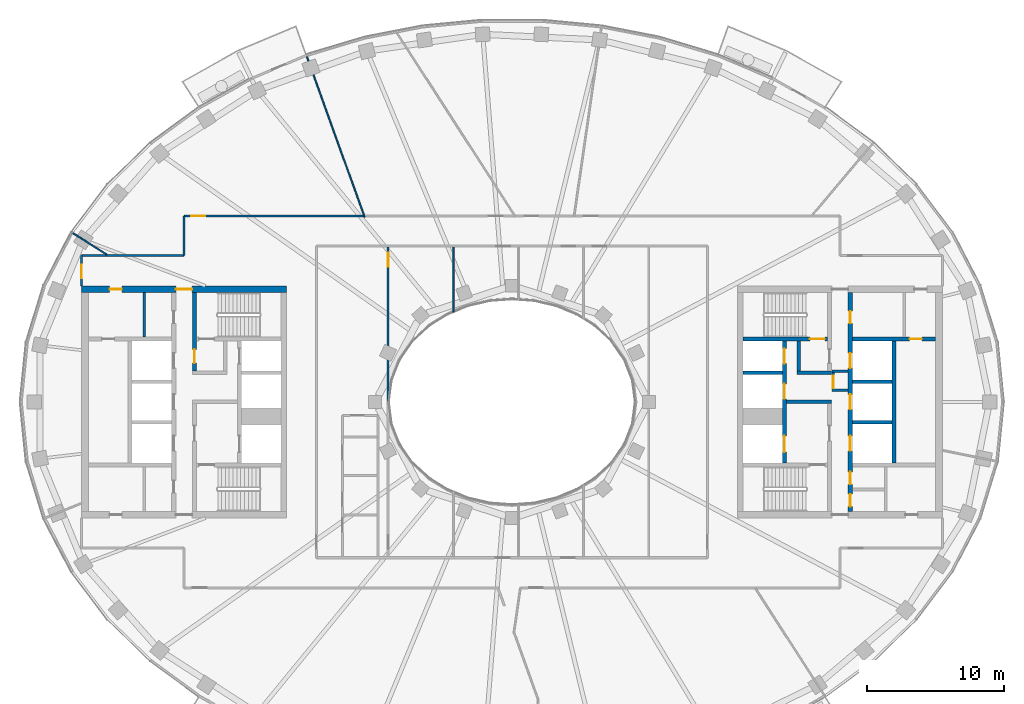
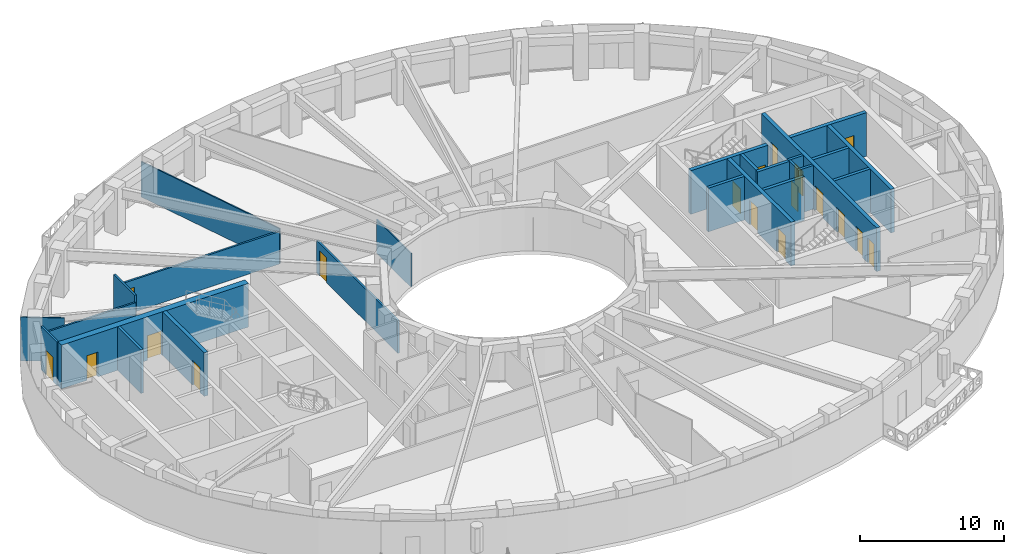
# One storey, part 5 of 15: 25 walls, 18 doors, 18 openings.
"""IFC4 building model written with IfcOpenShell, lengths in metres."""

from ifc_helpers import new_model, si_unit, direction, frame, frame_2d, origin, place, context, subcontext, project, spatial, rectangle, extrude, material, layer, layer_set, type_object, element, fill, save


model = new_model("IFC4")

# Units and contexts
model_context = context("Model", 3, precision=1e-05, world=origin(), true_north=direction((0.0, 1.0)))
body_context = subcontext(model_context, "Body", "Model", "MODEL_VIEW")
ifc_project = project(units=[si_unit("LENGTHUNIT", "METRE"), si_unit("AREAUNIT", "SQUARE_METRE"), si_unit("VOLUMEUNIT", "CUBIC_METRE"), si_unit("PLANEANGLEUNIT", "RADIAN"), si_unit("MASSUNIT", "GRAM", prefix="KILO")], contexts=[model_context])

# Site, building, storey
site_placement = place(None, origin())
site = spatial("IfcSite", under=ifc_project, at=site_placement, CompositionType="ELEMENT")
building_placement = place(site_placement, origin())
building = spatial("IfcBuilding", under=site, at=building_placement, Name="Noorbagh Ring Tower", CompositionType="ELEMENT")
storey_placement = place(building_placement, frame((0.0, 0.0, 277.5)))
storey = spatial("IfcBuildingStorey", under=building, at=storey_placement, Name="L59", CompositionType="ELEMENT", Elevation=277.5)

# Walls
ifc_material_1 = material(Name="Gypsum board on steel studs", Category="steel")
ifc_layer_1 = layer(ifc_material_1, 0.199951171875)
ifc_layer_set_1 = layer_set([ifc_layer_1], Name="Gypsum board on steel studs")
wall_type_1 = type_object("IfcWallType", Name="CORE-PARTITION-200", PredefinedType="PARTITIONING", material=ifc_layer_set_1)
wall_1_placement = place(storey_placement, frame((-26.89990234375, 4.75, 0.0), z_axis=(0.0, 0.0, 1.0), x_axis=(0.0, 1.0, 0.0)))
element("IfcWall", 1, at=wall_1_placement, inside=storey, type_object=wall_type_1, Name="Core partition W", PredefinedType="PARTITIONING", context=body_context, shape_type="SweptSolid", body=[
    extrude(rectangle(XDim=3.25, YDim=0.199951171875, at=frame_2d((1.625, 0.0))), origin(), (0.0, 0.0, 1.0), 3.699951171875),
])
for number, where, z_axis, x_axis, name in (
    (2, (23.39990234375, 0.85009765625, 0.0), (0.0, 0.0, 1.0), (1.0, 0.0, 0.0), "Core partition E"),
    (3, (23.39990234375, 2.25, 0.0), (0.0, 0.0, 1.0), (1.0, 0.0, 0.0), "Core partition E"),
):
    element("IfcWall", number, at=place(storey_placement, frame(where, z_axis=z_axis, x_axis=x_axis)), inside=storey, type_object=wall_type_1, Name=name, PredefinedType="PARTITIONING", context=body_context, shape_type="SweptSolid", body=[
        extrude(rectangle(XDim=1.2001953125, YDim=0.199951171875, at=frame_2d((0.60009765625, 0.0))), origin(), (0.0, 0.0, 1.0), 3.699951171875),
    ])

# Wall, opening, door
wall_2_placement = place(storey_placement, frame((23.5, 0.75, 0.0), z_axis=(0.0, 0.0, 1.0), x_axis=(0.0, 1.0, 0.0)))
wall_2 = element("IfcWall", 4, at=wall_2_placement, inside=storey, type_object=wall_type_1, Name="Core partition E", PredefinedType="PARTITIONING", context=body_context, shape_type="SweptSolid", body=[
    extrude(rectangle(XDim=1.60009765625, YDim=0.199951171875, at=frame_2d((0.800048828125, 0.0))), origin(), (0.0, 0.0, 1.0), 3.699951171875),
])
opening_1_placement = place(wall_2_placement, frame((0.25, 0.0, 0.0)))
opening_1 = element("IfcOpeningElement", 5, at=opening_1_placement, cuts=wall_2, Name="Opening L59-CE18", PredefinedType="OPENING", context=body_context, shape_type="SweptSolid", body=[
    extrude(rectangle(XDim=0.89990234375, YDim=2.10009765625, at=frame_2d((0.449951171875, 1.050048828125))), frame((0.0, 0.10986328125, 0.0), z_axis=(0.0, -1.0, 0.0), x_axis=(1.0, 0.0, 0.0)), (0.0, 0.0, 1.0), 0.219970703125),
])
ifc_material_2 = material(Name="Steel door leaf", Category="steel")
door_type_1 = type_object("IfcDoorType", Name="CORE-DOOR-DROOM", OperationType="SINGLE_SWING_LEFT", PredefinedType="DOOR", material=ifc_material_2)
door_1_placement = place(opening_1_placement, origin())
door_1 = element("IfcDoor", 6, at=door_1_placement, inside=storey, type_object=door_type_1, Name="Core room door L59-CE18", OperationType="SINGLE_SWING_LEFT", OverallHeight=2.10009765625, OverallWidth=0.89990234375, PredefinedType="DOOR", context=body_context, shape_type="SweptSolid", body=[
    extrude(rectangle(XDim=0.89990234375, YDim=2.10009765625, at=frame_2d((0.449951171875, 1.050048828125))), frame((0.0, 0.02490234375, 0.0), z_axis=(0.0, -1.0, 0.0), x_axis=(1.0, 0.0, 0.0)), (0.0, 0.0, 1.0), 0.050048828125),
])
fill(opening_1, door_1)

# Walls
ifc_material_3 = material(Name="Concrete C60/75", Category="concrete")
ifc_layer_2 = layer(ifc_material_3, 0.25)
ifc_layer_set_2 = layer_set([ifc_layer_2], Name="Concrete C60/75")
wall_type_2 = type_object("IfcWallType", Name="CORE-WALL-250-C60-75-EI120", PredefinedType="SHEAR", material=ifc_layer_set_2)
for number, where, z_axis, x_axis, name in (
    (7, (16.89990234375, 2.125, 0.0), (0.0, 0.0, 1.0), (1.0, 0.0, 0.0), "Core wall E"),
    (8, (24.89990234375, -1.47509765625, 0.0), (0.0, 0.0, 1.0), (1.0, 0.0, 0.0), "Core wall E"),
    (9, (24.89990234375, 1.47509765625, 0.0), (0.0, 0.0, 1.0), (1.0, 0.0, 0.0), "Core wall E"),
):
    element("IfcWall", number, at=place(storey_placement, frame(where, z_axis=z_axis, x_axis=x_axis)), inside=storey, type_object=wall_type_2, Name=name, PredefinedType="SHEAR", context=body_context, shape_type="SweptSolid", body=[
        extrude(rectangle(XDim=2.900146484375, YDim=0.25, at=frame_2d((1.4501953125, 0.0))), origin(), (0.0, 0.0, 1.0), 3.699951171875),
    ])
ifc_material_4 = material(Name="Concrete C60/75", Category="concrete")
ifc_layer_3 = layer(ifc_material_4, 0.25)
ifc_layer_set_3 = layer_set([ifc_layer_3], Name="Concrete C60/75")
wall_type_3 = type_object("IfcWallType", Name="CORE-WALL-250-C60-75-EI240", PredefinedType="SHEAR", material=ifc_layer_set_3)
wall_3_placement = place(storey_placement, frame((20.10009765625, 0.0, 0.0), z_axis=(0.0, 0.0, 1.0), x_axis=(1.0, 0.0, 0.0)))
element("IfcWall", 10, at=wall_3_placement, inside=storey, type_object=wall_type_3, Name="Core wall E", PredefinedType="SHEAR", context=body_context, shape_type="SweptSolid", body=[
    extrude(rectangle(XDim=3.27978515625, YDim=0.25, at=frame_2d((1.639892578125, 0.0))), origin(), (0.0, 0.0, 1.0), 3.699951171875),
])
wall_4_placement = place(storey_placement, frame((20.85009765625, 2.125, 0.0), z_axis=(0.0, 0.0, 1.0), x_axis=(1.0, 0.0, 0.0)))
element("IfcWall", 11, at=wall_4_placement, inside=storey, type_object=wall_type_3, Name="Core wall E", PredefinedType="SHEAR", context=body_context, shape_type="SweptSolid", body=[
    extrude(rectangle(XDim=2.52978515625, YDim=0.25, at=frame_2d((1.264892578125, 0.0))), origin(), (0.0, 0.0, 1.0), 3.699951171875),
])
wall_5_placement = place(storey_placement, frame((20.97509765625, 2.25, 0.0), z_axis=(0.0, 0.0, 1.0), x_axis=(0.0, 1.0, 0.0)))
element("IfcWall", 12, at=wall_5_placement, inside=storey, type_object=wall_type_3, Name="Core wall E", PredefinedType="SHEAR", context=body_context, shape_type="SweptSolid", body=[
    extrude(rectangle(XDim=2.199951171875, YDim=0.25, at=frame_2d((1.10009765625, 0.0))), origin(), (0.0, 0.0, 1.0), 3.699951171875),
])
ifc_material_5 = material(Name="Concrete C60/75", Category="concrete")
ifc_layer_4 = layer(ifc_material_5, 0.300048828125)
ifc_layer_set_4 = layer_set([ifc_layer_4], Name="Concrete C60/75")
wall_type_4 = type_object("IfcWallType", Name="CORE-WALL-300-C60-75-EI120", PredefinedType="SHEAR", material=ifc_layer_set_4)
wall_6_placement = place(storey_placement, frame((27.949951171875, -4.449951171875, 0.0), z_axis=(0.0, 0.0, 1.0), x_axis=(0.0, 1.0, 0.0)))
element("IfcWall", 13, at=wall_6_placement, inside=storey, type_object=wall_type_4, Name="Core wall E", PredefinedType="SHEAR", context=body_context, shape_type="SweptSolid", body=[
    extrude(rectangle(XDim=8.89990234375, YDim=0.300048828125, at=frame_2d((4.449951171875, 0.0))), origin(), (0.0, 0.0, 1.0), 3.699951171875),
])

# Wall, openings, doors
wall_7_placement = place(storey_placement, frame((19.949951171875, -4.449951171875, 0.0), z_axis=(0.0, 0.0, 1.0), x_axis=(0.0, 1.0, 0.0)))
wall_7 = element("IfcWall", 14, at=wall_7_placement, inside=storey, type_object=wall_type_4, Name="Core wall E", PredefinedType="SHEAR", context=body_context, shape_type="SweptSolid", body=[
    extrude(rectangle(XDim=8.89990234375, YDim=0.300048828125, at=frame_2d((4.449951171875, 0.0))), origin(), (0.0, 0.0, 1.0), 3.699951171875),
])
opening_2_placement = place(wall_7_placement, frame((0.77490234375, 0.0, 0.0)))
opening_2 = element("IfcOpeningElement", 15, at=opening_2_placement, cuts=wall_7, Name="Opening L59-CE01", PredefinedType="OPENING", context=body_context, shape_type="SweptSolid", body=[
    extrude(rectangle(XDim=1.199951171875, YDim=2.10009765625, at=frame_2d((0.60009765625, 1.050048828125))), frame((0.0, 0.16015625, 0.0), z_axis=(0.0, -1.0, 0.0), x_axis=(1.0, 0.0, 0.0)), (0.0, 0.0, 1.0), 0.320068359375),
])
opening_3_placement = place(wall_7_placement, frame((4.675048828125, 0.0, 0.0)))
opening_3 = element("IfcOpeningElement", 16, at=opening_3_placement, cuts=wall_7, Name="Opening L59-CE02", PredefinedType="OPENING", context=body_context, shape_type="SweptSolid", body=[
    extrude(rectangle(XDim=1.10009765625, YDim=2.10009765625, at=frame_2d((0.550048828125, 1.050048828125))), frame((0.0, 0.16015625, 0.0), z_axis=(0.0, -1.0, 0.0), x_axis=(1.0, 0.0, 0.0)), (0.0, 0.0, 1.0), 0.320068359375),
])
opening_4_placement = place(wall_7_placement, frame((7.25, 0.0, 0.0)))
opening_4 = element("IfcOpeningElement", 17, at=opening_4_placement, cuts=wall_7, Name="Opening L59-CE03", PredefinedType="OPENING", context=body_context, shape_type="SweptSolid", body=[
    extrude(rectangle(XDim=1.10009765625, YDim=2.10009765625, at=frame_2d((0.550048828125, 1.050048828125))), frame((0.0, 0.16015625, 0.0), z_axis=(0.0, -1.0, 0.0), x_axis=(1.0, 0.0, 0.0)), (0.0, 0.0, 1.0), 0.320068359375),
])
ifc_material_6 = material(Name="Steel door leaf", Category="steel")
door_type_2 = type_object("IfcDoorType", Name="CORE-DOOR-LD", OperationType="DOUBLE_DOOR_SLIDING", PredefinedType="DOOR", material=ifc_material_6)
door_2_placement = place(opening_3_placement, origin())
door_2 = element("IfcDoor", 18, at=door_2_placement, inside=storey, type_object=door_type_2, Name="Landing door HR7 L59-CE02", OperationType="DOUBLE_DOOR_SLIDING", OverallHeight=2.10009765625, OverallWidth=1.10009765625, PredefinedType="DOOR", context=body_context, shape_type="SweptSolid", body=[
    extrude(rectangle(XDim=1.10009765625, YDim=2.10009765625, at=frame_2d((0.550048828125, 1.050048828125))), frame((0.0, 0.02490234375, 0.0), z_axis=(0.0, -1.0, 0.0), x_axis=(1.0, 0.0, 0.0)), (0.0, 0.0, 1.0), 0.050048828125),
])
fill(opening_3, door_2)
door_3_placement = place(opening_4_placement, origin())
door_3 = element("IfcDoor", 19, at=door_3_placement, inside=storey, type_object=door_type_2, Name="Landing door HR8 L59-CE03", OperationType="DOUBLE_DOOR_SLIDING", OverallHeight=2.10009765625, OverallWidth=1.10009765625, PredefinedType="DOOR", context=body_context, shape_type="SweptSolid", body=[
    extrude(rectangle(XDim=1.10009765625, YDim=2.10009765625, at=frame_2d((0.550048828125, 1.050048828125))), frame((0.0, 0.02490234375, 0.0), z_axis=(0.0, -1.0, 0.0), x_axis=(1.0, 0.0, 0.0)), (0.0, 0.0, 1.0), 0.050048828125),
])
fill(opening_4, door_3)
ifc_material_7 = material(Name="Steel door leaf", Category="steel")
door_type_3 = type_object("IfcDoorType", Name="CORE-DOOR-LDW", OperationType="DOUBLE_DOOR_SLIDING", PredefinedType="DOOR", material=ifc_material_7)
door_4_placement = place(opening_2_placement, origin())
door_4 = element("IfcDoor", 20, at=door_4_placement, inside=storey, type_object=door_type_3, Name="Landing door FF2 L59-CE01", OperationType="DOUBLE_DOOR_SLIDING", OverallHeight=2.10009765625, OverallWidth=1.199951171875, PredefinedType="DOOR", context=body_context, shape_type="SweptSolid", body=[
    extrude(rectangle(XDim=1.199951171875, YDim=2.10009765625, at=frame_2d((0.60009765625, 1.050048828125))), frame((0.0, 0.02490234375, 0.0), z_axis=(0.0, -1.0, 0.0), x_axis=(1.0, 0.0, 0.0)), (0.0, 0.0, 1.0), 0.050048828125),
])
fill(opening_2, door_4)

wall_8_placement = place(storey_placement, frame((24.75, -8.0, 0.0), z_axis=(0.0, 0.0, 1.0), x_axis=(0.0, 1.0, 0.0)))
wall_8 = element("IfcWall", 21, at=wall_8_placement, inside=storey, type_object=wall_type_4, Name="Core wall E", PredefinedType="SHEAR", context=body_context, shape_type="SweptSolid", body=[
    extrude(rectangle(XDim=16.0, YDim=0.300048828125, at=frame_2d((8.0, 0.0))), origin(), (0.0, 0.0, 1.0), 3.699951171875),
])
opening_5_placement = place(wall_8_placement, frame((4.425048828125, 0.0, 0.0)))
opening_5 = element("IfcOpeningElement", 22, at=opening_5_placement, cuts=wall_8, Name="Opening L59-CE04", PredefinedType="OPENING", context=body_context, shape_type="SweptSolid", body=[
    extrude(rectangle(XDim=1.10009765625, YDim=2.10009765625, at=frame_2d((0.550048828125, 1.050048828125))), frame((0.0, 0.16015625, 0.0), z_axis=(0.0, -1.0, 0.0), x_axis=(1.0, 0.0, 0.0)), (0.0, 0.0, 1.0), 0.320068359375),
])
opening_6_placement = place(wall_8_placement, frame((7.449951171875, 0.0, 0.0)))
opening_6 = element("IfcOpeningElement", 23, at=opening_6_placement, cuts=wall_8, Name="Opening L59-CE05", PredefinedType="OPENING", context=body_context, shape_type="SweptSolid", body=[
    extrude(rectangle(XDim=1.10009765625, YDim=2.10009765625, at=frame_2d((0.550048828125, 1.050048828125))), frame((0.0, 0.16015625, 0.0), z_axis=(0.0, -1.0, 0.0), x_axis=(1.0, 0.0, 0.0)), (0.0, 0.0, 1.0), 0.320068359375),
])
opening_7_placement = place(wall_8_placement, frame((10.47509765625, 0.0, 0.0)))
opening_7 = element("IfcOpeningElement", 24, at=opening_7_placement, cuts=wall_8, Name="Opening L59-CE06", PredefinedType="OPENING", context=body_context, shape_type="SweptSolid", body=[
    extrude(rectangle(XDim=1.10009765625, YDim=2.10009765625, at=frame_2d((0.550048828125, 1.050048828125))), frame((0.0, 0.16015625, 0.0), z_axis=(0.0, -1.0, 0.0), x_axis=(1.0, 0.0, 0.0)), (0.0, 0.0, 1.0), 0.320068359375),
])
opening_8_placement = place(wall_8_placement, frame((13.75, 0.0, 0.0)))
opening_8 = element("IfcOpeningElement", 25, at=opening_8_placement, cuts=wall_8, Name="Opening L59-CE13", PredefinedType="OPENING", context=body_context, shape_type="SweptSolid", body=[
    extrude(rectangle(XDim=0.89990234375, YDim=2.10009765625, at=frame_2d((0.449951171875, 1.050048828125))), frame((0.0, 0.16015625, 0.0), z_axis=(0.0, -1.0, 0.0), x_axis=(1.0, 0.0, 0.0)), (0.0, 0.0, 1.0), 0.320068359375),
])
opening_9_placement = place(wall_8_placement, frame((1.97509765625, 0.0, 0.0)))
opening_9 = element("IfcOpeningElement", 26, at=opening_9_placement, cuts=wall_8, Name="Opening L59-CE15", PredefinedType="OPENING", context=body_context, shape_type="SweptSolid", body=[
    extrude(rectangle(XDim=0.89990234375, YDim=2.10009765625, at=frame_2d((0.449951171875, 1.050048828125))), frame((0.0, 0.16015625, 0.0), z_axis=(0.0, -1.0, 0.0), x_axis=(1.0, 0.0, 0.0)), (0.0, 0.0, 1.0), 0.320068359375),
])
opening_10_placement = place(wall_8_placement, frame((0.35009765625, 0.0, 0.0)))
opening_10 = element("IfcOpeningElement", 27, at=opening_10_placement, cuts=wall_8, Name="Opening L59-CE16", PredefinedType="OPENING", context=body_context, shape_type="SweptSolid", body=[
    extrude(rectangle(XDim=0.89990234375, YDim=2.10009765625, at=frame_2d((0.449951171875, 1.050048828125))), frame((0.0, 0.16015625, 0.0), z_axis=(0.0, -1.0, 0.0), x_axis=(1.0, 0.0, 0.0)), (0.0, 0.0, 1.0), 0.320068359375),
])
door_5_placement = place(opening_8_placement, origin())
door_5 = element("IfcDoor", 28, at=door_5_placement, inside=storey, type_object=door_type_1, Name="Core room door L59-CE13", OperationType="SINGLE_SWING_LEFT", OverallHeight=2.10009765625, OverallWidth=0.89990234375, PredefinedType="DOOR", context=body_context, shape_type="SweptSolid", body=[
    extrude(rectangle(XDim=0.89990234375, YDim=2.10009765625, at=frame_2d((0.449951171875, 1.050048828125))), frame((0.0, 0.02490234375, 0.0), z_axis=(0.0, -1.0, 0.0), x_axis=(1.0, 0.0, 0.0)), (0.0, 0.0, 1.0), 0.050048828125),
])
fill(opening_8, door_5)
door_6_placement = place(opening_9_placement, origin())
door_6 = element("IfcDoor", 29, at=door_6_placement, inside=storey, type_object=door_type_1, Name="Core room door L59-CE15", OperationType="SINGLE_SWING_LEFT", OverallHeight=2.10009765625, OverallWidth=0.89990234375, PredefinedType="DOOR", context=body_context, shape_type="SweptSolid", body=[
    extrude(rectangle(XDim=0.89990234375, YDim=2.10009765625, at=frame_2d((0.449951171875, 1.050048828125))), frame((0.0, 0.02490234375, 0.0), z_axis=(0.0, -1.0, 0.0), x_axis=(1.0, 0.0, 0.0)), (0.0, 0.0, 1.0), 0.050048828125),
])
fill(opening_9, door_6)
door_7_placement = place(opening_10_placement, origin())
door_7 = element("IfcDoor", 30, at=door_7_placement, inside=storey, type_object=door_type_1, Name="Core room door L59-CE16", OperationType="SINGLE_SWING_RIGHT", OverallHeight=2.10009765625, OverallWidth=0.89990234375, PredefinedType="DOOR", context=body_context, shape_type="SweptSolid", body=[
    extrude(rectangle(XDim=0.89990234375, YDim=2.10009765625, at=frame_2d((0.449951171875, 1.050048828125))), frame((0.0, 0.02490234375, 0.0), z_axis=(0.0, -1.0, 0.0), x_axis=(1.0, 0.0, 0.0)), (0.0, 0.0, 1.0), 0.050048828125),
])
fill(opening_10, door_7)
door_8_placement = place(opening_5_placement, origin())
door_8 = element("IfcDoor", 31, at=door_8_placement, inside=storey, type_object=door_type_2, Name="Landing door HR9 L59-CE04", OperationType="DOUBLE_DOOR_SLIDING", OverallHeight=2.10009765625, OverallWidth=1.10009765625, PredefinedType="DOOR", context=body_context, shape_type="SweptSolid", body=[
    extrude(rectangle(XDim=1.10009765625, YDim=2.10009765625, at=frame_2d((0.550048828125, 1.050048828125))), frame((0.0, 0.02490234375, 0.0), z_axis=(0.0, -1.0, 0.0), x_axis=(1.0, 0.0, 0.0)), (0.0, 0.0, 1.0), 0.050048828125),
])
fill(opening_5, door_8)
door_9_placement = place(opening_6_placement, origin())
door_9 = element("IfcDoor", 32, at=door_9_placement, inside=storey, type_object=door_type_2, Name="Landing door HR10 L59-CE05", OperationType="DOUBLE_DOOR_SLIDING", OverallHeight=2.10009765625, OverallWidth=1.10009765625, PredefinedType="DOOR", context=body_context, shape_type="SweptSolid", body=[
    extrude(rectangle(XDim=1.10009765625, YDim=2.10009765625, at=frame_2d((0.550048828125, 1.050048828125))), frame((0.0, 0.02490234375, 0.0), z_axis=(0.0, -1.0, 0.0), x_axis=(1.0, 0.0, 0.0)), (0.0, 0.0, 1.0), 0.050048828125),
])
fill(opening_6, door_9)
door_10_placement = place(opening_7_placement, origin())
door_10 = element("IfcDoor", 33, at=door_10_placement, inside=storey, type_object=door_type_2, Name="Landing door HR11 L59-CE06", OperationType="DOUBLE_DOOR_SLIDING", OverallHeight=2.10009765625, OverallWidth=1.10009765625, PredefinedType="DOOR", context=body_context, shape_type="SweptSolid", body=[
    extrude(rectangle(XDim=1.10009765625, YDim=2.10009765625, at=frame_2d((0.550048828125, 1.050048828125))), frame((0.0, 0.02490234375, 0.0), z_axis=(0.0, -1.0, 0.0), x_axis=(1.0, 0.0, 0.0)), (0.0, 0.0, 1.0), 0.050048828125),
])
fill(opening_7, door_10)

# Wall, opening, door
ifc_material_8 = material(Name="Concrete C60/75", Category="concrete")
ifc_layer_5 = layer(ifc_material_8, 0.300048828125)
ifc_layer_set_5 = layer_set([ifc_layer_5], Name="Concrete C60/75")
wall_type_5 = type_object("IfcWallType", Name="CORE-WALL-300-C60-75-EI240", PredefinedType="SHEAR", material=ifc_layer_set_5)
wall_9_placement = place(storey_placement, frame((-23.22998046875, 2.25, 0.0), z_axis=(0.0, 0.0, 1.0), x_axis=(0.0, 1.0, 0.0)))
wall_9 = element("IfcWall", 34, at=wall_9_placement, inside=storey, type_object=wall_type_5, Name="Core wall W", PredefinedType="SHEAR", context=body_context, shape_type="SweptSolid", body=[
    extrude(rectangle(XDim=5.75, YDim=0.300048828125, at=frame_2d((2.875, 0.0))), origin(), (0.0, 0.0, 1.0), 3.699951171875),
])
opening_11_placement = place(wall_9_placement, frame((0.60009765625, 0.0, 0.0)))
opening_11 = element("IfcOpeningElement", 35, at=opening_11_placement, cuts=wall_9, Name="Opening L59-CW09", PredefinedType="OPENING", context=body_context, shape_type="SweptSolid", body=[
    extrude(rectangle(XDim=1.0, YDim=2.10009765625, at=frame_2d((0.5, 1.050048828125))), frame((0.0, 0.16015625, 0.0), z_axis=(0.0, -1.0, 0.0), x_axis=(1.0, 0.0, 0.0)), (0.0, 0.0, 1.0), 0.320068359375),
])
ifc_material_9 = material(Name="Steel door leaf", Category="steel")
door_type_4 = type_object("IfcDoorType", Name="CORE-DOOR-DVEST", OperationType="SINGLE_SWING_LEFT", PredefinedType="DOOR", material=ifc_material_9)
door_11_placement = place(opening_11_placement, origin())
door_11 = element("IfcDoor", 36, at=door_11_placement, inside=storey, type_object=door_type_4, Name="Stair vestibule door L59-CW09", OperationType="SINGLE_SWING_LEFT", OverallHeight=2.10009765625, OverallWidth=1.0, PredefinedType="DOOR", context=body_context, shape_type="SweptSolid", body=[
    extrude(rectangle(XDim=1.0, YDim=2.10009765625, at=frame_2d((0.5, 1.050048828125))), frame((0.0, 0.02490234375, 0.0), z_axis=(0.0, -1.0, 0.0), x_axis=(1.0, 0.0, 0.0)), (0.0, 0.0, 1.0), 0.050048828125),
])
fill(opening_11, door_11)

wall_10_placement = place(storey_placement, frame((24.89990234375, 4.60009765625, 0.0), z_axis=(0.0, 0.0, 1.0), x_axis=(1.0, 0.0, 0.0)))
wall_10 = element("IfcWall", 37, at=wall_10_placement, inside=storey, type_object=wall_type_5, Name="Core wall E", PredefinedType="SHEAR", context=body_context, shape_type="SweptSolid", body=[
    extrude(rectangle(XDim=6.10009765625, YDim=0.300048828125, at=frame_2d((3.050048828125, 0.0))), origin(), (0.0, 0.0, 1.0), 3.699951171875),
])
opening_12_placement = place(wall_10_placement, frame((4.199951171875, 0.0, 0.0)))
opening_12 = element("IfcOpeningElement", 38, at=opening_12_placement, cuts=wall_10, Name="Opening L59-CE19", PredefinedType="OPENING", context=body_context, shape_type="SweptSolid", body=[
    extrude(rectangle(XDim=0.89990234375, YDim=2.10009765625, at=frame_2d((0.449951171875, 1.050048828125))), frame((0.0, 0.16015625, 0.0), z_axis=(0.0, -1.0, 0.0), x_axis=(1.0, 0.0, 0.0)), (0.0, 0.0, 1.0), 0.320068359375),
])
door_12_placement = place(opening_12_placement, origin())
door_12 = element("IfcDoor", 39, at=door_12_placement, inside=storey, type_object=door_type_1, Name="Core room door L59-CE19", OperationType="SINGLE_SWING_RIGHT", OverallHeight=2.10009765625, OverallWidth=0.89990234375, PredefinedType="DOOR", context=body_context, shape_type="SweptSolid", body=[
    extrude(rectangle(XDim=0.89990234375, YDim=2.10009765625, at=frame_2d((0.449951171875, 1.050048828125))), frame((0.0, 0.02490234375, 0.0), z_axis=(0.0, -1.0, 0.0), x_axis=(1.0, 0.0, 0.0)), (0.0, 0.0, 1.0), 0.050048828125),
])
fill(opening_12, door_12)

wall_11_placement = place(storey_placement, frame((16.89990234375, 4.60009765625, 0.0), z_axis=(0.0, 0.0, 1.0), x_axis=(1.0, 0.0, 0.0)))
wall_11 = element("IfcWall", 40, at=wall_11_placement, inside=storey, type_object=wall_type_5, Name="Core wall E", PredefinedType="SHEAR", context=body_context, shape_type="SweptSolid", body=[
    extrude(rectangle(XDim=6.18017578125, YDim=0.300048828125, at=frame_2d((3.090087890625, 0.0))), origin(), (0.0, 0.0, 1.0), 3.699951171875),
])
opening_13_placement = place(wall_11_placement, frame((4.89990234375, 0.0, 0.0)))
opening_13 = element("IfcOpeningElement", 41, at=opening_13_placement, cuts=wall_11, Name="Opening L59-CE07", PredefinedType="OPENING", context=body_context, shape_type="SweptSolid", body=[
    extrude(rectangle(XDim=1.10009765625, YDim=2.10009765625, at=frame_2d((0.550048828125, 1.050048828125))), frame((0.0, 0.16015625, 0.0), z_axis=(0.0, -1.0, 0.0), x_axis=(1.0, 0.0, 0.0)), (0.0, 0.0, 1.0), 0.320068359375),
])
ifc_material_10 = material(Name="Steel door leaf", Category="steel")
door_type_5 = type_object("IfcDoorType", Name="CORE-DOOR-DSTAIR", OperationType="SINGLE_SWING_LEFT", PredefinedType="DOOR", material=ifc_material_10)
door_13_placement = place(opening_13_placement, origin())
door_13 = element("IfcDoor", 42, at=door_13_placement, inside=storey, type_object=door_type_5, Name="Stair door ST3 L59-CE07", OperationType="SINGLE_SWING_LEFT", OverallHeight=2.10009765625, OverallWidth=1.10009765625, PredefinedType="DOOR", context=body_context, shape_type="SweptSolid", body=[
    extrude(rectangle(XDim=1.10009765625, YDim=2.10009765625, at=frame_2d((0.550048828125, 1.050048828125))), frame((0.0, 0.02490234375, 0.0), z_axis=(0.0, -1.0, 0.0), x_axis=(1.0, 0.0, 0.0)), (0.0, 0.0, 1.0), 0.050048828125),
])
fill(opening_13, door_13)

# Wall, openings, doors
ifc_material_11 = material(Name="Concrete C60/75", Category="concrete")
ifc_layer_6 = layer(ifc_material_11, 0.5)
ifc_layer_set_6 = layer_set([ifc_layer_6], Name="Concrete C60/75")
wall_type_6 = type_object("IfcWallType", Name="CORE-WALL-500-C60-75-EI240", PredefinedType="SHEAR", material=ifc_layer_set_6)
wall_12_placement = place(storey_placement, frame((-16.5, 8.25, 0.0), z_axis=(0.0, 0.0, 1.0), x_axis=(-1.0, 0.0, 0.0)))
wall_12 = element("IfcWall", 43, at=wall_12_placement, inside=storey, type_object=wall_type_6, Name="Core wall W", PredefinedType="SHEAR", context=body_context, shape_type="SweptSolid", body=[
    extrude(rectangle(XDim=15.0, YDim=0.5, at=frame_2d((7.5, 0.0))), origin(), (0.0, 0.0, 1.0), 3.699951171875),
])
opening_14_placement = place(wall_12_placement, frame((6.89990234375, 0.0, 0.0)))
opening_14 = element("IfcOpeningElement", 44, at=opening_14_placement, cuts=wall_12, Name="Opening L59-CW10", PredefinedType="OPENING", context=body_context, shape_type="SweptSolid", body=[
    extrude(rectangle(XDim=1.199951171875, YDim=2.10009765625, at=frame_2d((0.60009765625, 1.050048828125))), frame((0.0, 0.260009765625, 0.0), z_axis=(0.0, -1.0, 0.0), x_axis=(1.0, 0.0, 0.0)), (0.0, 0.0, 1.0), 0.52001953125),
])
opening_15_placement = place(wall_12_placement, frame((12.050048828125, 0.0, 0.0)))
opening_15 = element("IfcOpeningElement", 45, at=opening_15_placement, cuts=wall_12, Name="Opening L59-CW13", PredefinedType="OPENING", context=body_context, shape_type="SweptSolid", body=[
    extrude(rectangle(XDim=0.89990234375, YDim=2.10009765625, at=frame_2d((0.449951171875, 1.050048828125))), frame((0.0, 0.260009765625, 0.0), z_axis=(0.0, -1.0, 0.0), x_axis=(1.0, 0.0, 0.0)), (0.0, 0.0, 1.0), 0.52001953125),
])
door_14_placement = place(opening_15_placement, origin())
door_14 = element("IfcDoor", 46, at=door_14_placement, inside=storey, type_object=door_type_1, Name="Core room door L59-CW13", OperationType="SINGLE_SWING_RIGHT", OverallHeight=2.10009765625, OverallWidth=0.89990234375, PredefinedType="DOOR", context=body_context, shape_type="SweptSolid", body=[
    extrude(rectangle(XDim=0.89990234375, YDim=2.10009765625, at=frame_2d((0.449951171875, 1.050048828125))), frame((0.0, 0.02490234375, 0.0), z_axis=(0.0, -1.0, 0.0), x_axis=(1.0, 0.0, 0.0)), (0.0, 0.0, 1.0), 0.050048828125),
])
fill(opening_15, door_14)
ifc_material_12 = material(Name="Steel door leaf", Category="steel")
door_type_6 = type_object("IfcDoorType", Name="CORE-DOOR-PORT", OperationType="DOUBLE_DOOR_DOUBLE_SWING", PredefinedType="DOOR", material=ifc_material_12)
door_15_placement = place(opening_14_placement, origin())
door_15 = element("IfcDoor", 47, at=door_15_placement, inside=storey, type_object=door_type_6, Name="Core entrance door L59-CW10", OperationType="DOUBLE_DOOR_DOUBLE_SWING", OverallHeight=2.10009765625, OverallWidth=1.199951171875, PredefinedType="DOOR", context=body_context, shape_type="SweptSolid", body=[
    extrude(rectangle(XDim=1.199951171875, YDim=2.10009765625, at=frame_2d((0.60009765625, 1.050048828125))), frame((0.0, 0.02490234375, 0.0), z_axis=(0.0, -1.0, 0.0), x_axis=(1.0, 0.0, 0.0)), (0.0, 0.0, 1.0), 0.050048828125),
])
fill(opening_14, door_15)

# Wall, opening, door
ifc_material_13 = material(Name="Gypsum board on steel studs", Category="steel")
ifc_layer_7 = layer(ifc_material_13, 0.14990234375)
ifc_layer_set_7 = layer_set([ifc_layer_7], Name="Gypsum board on steel studs")
wall_type_7 = type_object("IfcWallType", Name="CORRIDOR PARTITION 150 EI 30", PredefinedType="PARTITIONING", material=ifc_layer_set_7)
wall_13_placement = place(storey_placement, frame((-31.5, 8.5, 0.0), z_axis=(0.0, 0.0, 1.0), x_axis=(0.0, 1.0, 0.0)))
wall_13 = element("IfcWall", 48, at=wall_13_placement, inside=storey, type_object=wall_type_7, Name="L59/wall/P05", PredefinedType="PARTITIONING", context=body_context, shape_type="SweptSolid", body=[
    extrude(rectangle(XDim=2.199951171875, YDim=0.14990234375, at=frame_2d((1.10009765625, 0.0))), origin(), (0.0, 0.0, 1.0), 3.699951171875),
])
opening_16_placement = place(wall_13_placement, frame((0.550048828125, 0.0, 0.0)))
opening_16 = element("IfcOpeningElement", 49, at=opening_16_placement, cuts=wall_13, Name="Opening D1", PredefinedType="OPENING", context=body_context, shape_type="SweptSolid", body=[
    extrude(rectangle(XDim=1.0, YDim=2.10009765625, at=frame_2d((0.5, 1.050048828125))), frame((0.0, 0.0849609375, 0.0), z_axis=(0.0, -1.0, 0.0), x_axis=(1.0, 0.0, 0.0)), (0.0, 0.0, 1.0), 0.169921875),
])
ifc_material_14 = material(Name="Timber, painted", Category="wood")
door_type_7 = type_object("IfcDoorType", Name="DOOR 1000 X 2100 FD30", OperationType="SINGLE_SWING_LEFT", PredefinedType="DOOR", material=ifc_material_14)
door_16_placement = place(opening_16_placement, origin())
door_16 = element("IfcDoor", 50, at=door_16_placement, inside=storey, type_object=door_type_7, Name="L59-D06", OperationType="SINGLE_SWING_RIGHT", OverallHeight=2.10009765625, OverallWidth=1.0, PredefinedType="DOOR", context=body_context, shape_type="SweptSolid", body=[
    extrude(rectangle(XDim=1.0, YDim=2.10009765625, at=frame_2d((0.5, 1.050048828125))), frame((0.0, 0.02490234375, 0.0), z_axis=(0.0, -1.0, 0.0), x_axis=(1.0, 0.0, 0.0)), (0.0, 0.0, 1.0), 0.050048828125),
])
fill(opening_16, door_16)

# Walls
wall_14_placement = place(storey_placement, frame((-31.5, 10.699951171875, 0.0), z_axis=(0.0, 0.0, 1.0), x_axis=(1.0, 0.0, 0.0)))
element("IfcWall", 51, at=wall_14_placement, inside=storey, type_object=wall_type_7, Name="L59/wall/P06", PredefinedType="PARTITIONING", context=body_context, shape_type="SweptSolid", body=[
    extrude(rectangle(XDim=7.5, YDim=0.14990234375, at=frame_2d((3.75, 0.0))), origin(), (0.0, 0.0, 1.0), 3.10009765625),
])
wall_15_placement = place(storey_placement, frame((-24.0, 10.699951171875, 0.0), z_axis=(0.0, 0.0, 1.0), x_axis=(0.0, 1.0, 0.0)))
element("IfcWall", 52, at=wall_15_placement, inside=storey, type_object=wall_type_7, Name="L59/wall/P09", PredefinedType="PARTITIONING", context=body_context, shape_type="SweptSolid", body=[
    extrude(rectangle(XDim=2.900146484375, YDim=0.14990234375, at=frame_2d((1.4501953125, 0.0))), origin(), (0.0, 0.0, 1.0), 3.699951171875),
])

# Wall, opening, door
wall_16_placement = place(storey_placement, frame((-24.0, 13.60009765625, 0.0), z_axis=(0.0, 0.0, 1.0), x_axis=(1.0, 0.0, 0.0)))
wall_16 = element("IfcWall", 53, at=wall_16_placement, inside=storey, type_object=wall_type_7, Name="L59/wall/P10", PredefinedType="PARTITIONING", context=body_context, shape_type="SweptSolid", body=[
    extrude(rectangle(XDim=13.177001953125, YDim=0.14990234375, at=frame_2d((6.58837890625, 0.0))), origin(), (0.0, 0.0, 1.0), 2.75),
])
opening_17_placement = place(wall_16_placement, frame((0.5390625, 0.0, 0.0)))
opening_17 = element("IfcOpeningElement", 54, at=opening_17_placement, cuts=wall_16, Name="Opening D1", PredefinedType="OPENING", context=body_context, shape_type="SweptSolid", body=[
    extrude(rectangle(XDim=1.0, YDim=2.10009765625, at=frame_2d((0.5, 1.050048828125))), frame((0.0, 0.0849609375, 0.0), z_axis=(0.0, -1.0, 0.0), x_axis=(1.0, 0.0, 0.0)), (0.0, 0.0, 1.0), 0.169921875),
])
door_17_placement = place(opening_17_placement, origin())
door_17 = element("IfcDoor", 55, at=door_17_placement, inside=storey, type_object=door_type_7, Name="L59-D08", OperationType="SINGLE_SWING_RIGHT", OverallHeight=2.10009765625, OverallWidth=1.0, PredefinedType="DOOR", context=body_context, shape_type="SweptSolid", body=[
    extrude(rectangle(XDim=1.0, YDim=2.10009765625, at=frame_2d((0.5, 1.050048828125))), frame((0.0, 0.02490234375, 0.0), z_axis=(0.0, -1.0, 0.0), x_axis=(1.0, 0.0, 0.0)), (0.0, 0.0, 1.0), 0.050048828125),
])
fill(opening_17, door_17)

wall_17_placement = place(storey_placement, frame((-9.056884765625, 0.044921875, 0.0), z_axis=(0.0, 0.0, 1.0), x_axis=(0.0, 1.0, 0.0)))
wall_17 = element("IfcWall", 56, at=wall_17_placement, inside=storey, type_object=wall_type_7, Name="L59/wall/P25", PredefinedType="PARTITIONING", context=body_context, shape_type="SweptSolid", body=[
    extrude(rectangle(XDim=11.280029296875, YDim=0.14990234375, at=frame_2d((5.64013671875, 0.0))), origin(), (0.0, 0.0, 1.0), 2.75),
])
opening_18_placement = place(wall_17_placement, frame((9.860107421875, 0.0, 0.0)))
opening_18 = element("IfcOpeningElement", 57, at=opening_18_placement, cuts=wall_17, Name="Opening D1", PredefinedType="OPENING", context=body_context, shape_type="SweptSolid", body=[
    extrude(rectangle(XDim=1.0, YDim=2.10009765625, at=frame_2d((0.5, 1.050048828125))), frame((0.0, 0.0849609375, 0.0), z_axis=(0.0, -1.0, 0.0), x_axis=(1.0, 0.0, 0.0)), (0.0, 0.0, 1.0), 0.169921875),
])
door_18_placement = place(opening_18_placement, origin())
door_18 = element("IfcDoor", 58, at=door_18_placement, inside=storey, type_object=door_type_7, Name="L59-D16", OperationType="SINGLE_SWING_RIGHT", OverallHeight=2.10009765625, OverallWidth=1.0, PredefinedType="DOOR", context=body_context, shape_type="SweptSolid", body=[
    extrude(rectangle(XDim=1.0, YDim=2.10009765625, at=frame_2d((0.5, 1.050048828125))), frame((0.0, 0.02490234375, 0.0), z_axis=(0.0, -1.0, 0.0), x_axis=(1.0, 0.0, 0.0)), (0.0, 0.0, 1.0), 0.050048828125),
])
fill(opening_18, door_18)

# Walls
ifc_material_15 = material(Name="Gypsum board on steel studs", Category="steel")
ifc_layer_8 = layer(ifc_material_15, 0.10009765625)
ifc_layer_set_8 = layer_set([ifc_layer_8], Name="Gypsum board on steel studs")
wall_type_8 = type_object("IfcWallType", Name="PARTITION 100 GYPSUM", PredefinedType="PARTITIONING", material=ifc_layer_set_8)
wall_18_placement = place(storey_placement, frame((-32.2119140625, 12.407958984375, 0.0), z_axis=(0.0, 0.0, 1.0), x_axis=(0.844810627195, -0.535065420467, 0.0)))
element("IfcWall", 59, at=wall_18_placement, inside=storey, type_object=wall_type_8, Name="L59/wall/P02", PredefinedType="PARTITIONING", context=body_context, shape_type="SweptSolid", body=[
    extrude(rectangle(XDim=3.0478515625, YDim=0.10009765625, at=frame_2d((1.52392578125, 0.0))), origin(), (0.0, 0.0, 1.0), 3.699951171875),
])
wall_19_placement = place(storey_placement, frame((-15.048095703125, 25.383056640625, 0.0), z_axis=(0.0, 0.0, 1.0), x_axis=(0.338383971485, -0.941008123154, 0.0)))
element("IfcWall", 60, at=wall_19_placement, inside=storey, type_object=wall_type_8, Name="L59/wall/P11", PredefinedType="PARTITIONING", context=body_context, shape_type="SweptSolid", body=[
    extrude(rectangle(XDim=12.6015625, YDim=0.10009765625, at=frame_2d((6.30078125, 0.0))), origin(), (0.0, 0.0, 1.0), 3.0),
])
wall_20_placement = place(storey_placement, frame((-4.2900390625, 6.568115234375, 0.0), z_axis=(0.0, 0.0, 1.0), x_axis=(0.0, 1.0, 0.0)))
element("IfcWall", 61, at=wall_20_placement, inside=storey, type_object=wall_type_8, Name="L59/wall/P28", PredefinedType="PARTITIONING", context=body_context, shape_type="SweptSolid", body=[
    extrude(rectangle(XDim=4.7568359375, YDim=0.10009765625, at=frame_2d((2.37841796875, 0.0))), origin(), (0.0, 0.0, 1.0), 2.85009765625),
])

save(model, "model.ifc")
